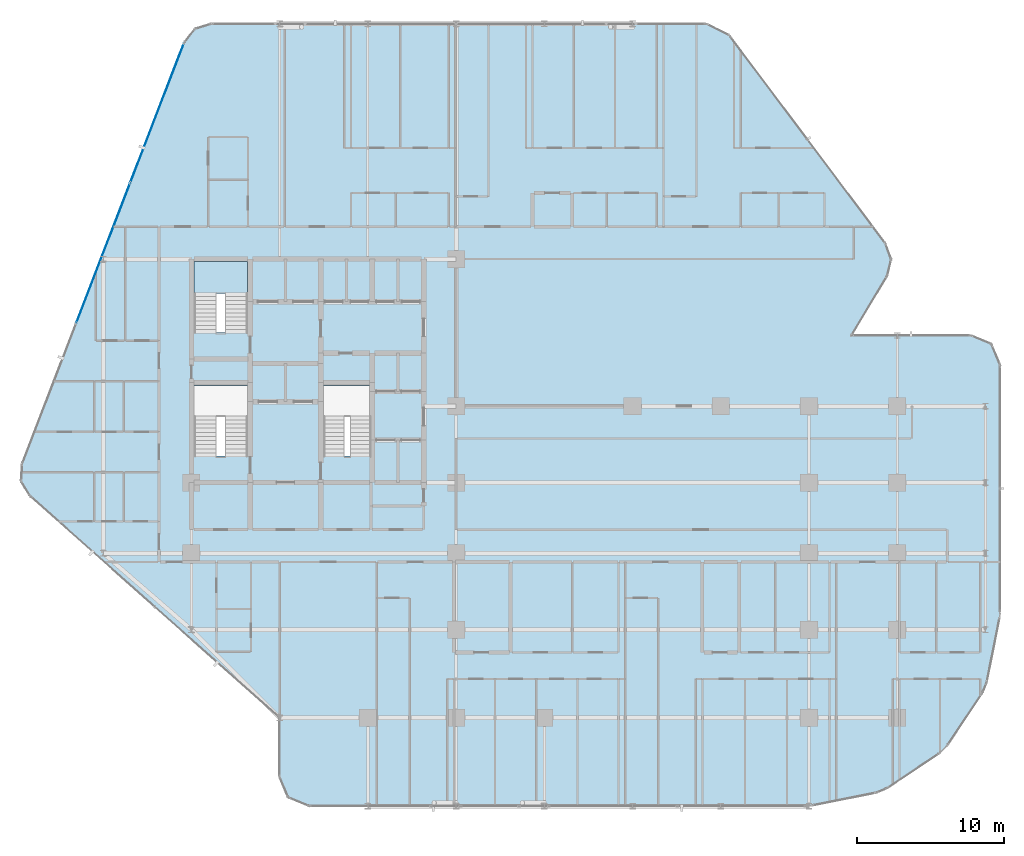
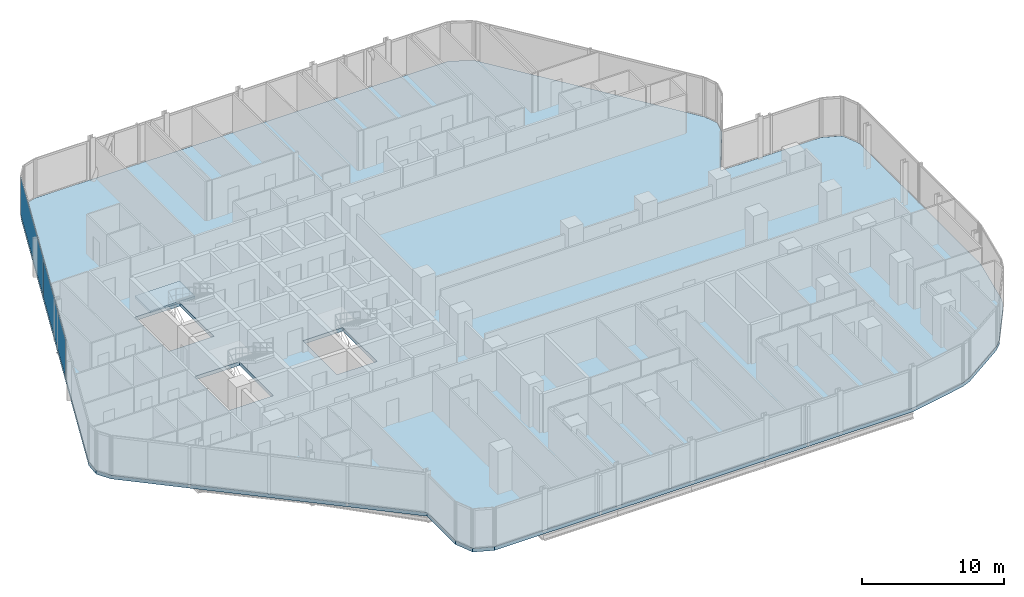
# One storey, part 23 of 34: 2 plates, 2 slabs, 2 elements without a shape of their own.
"""IFC4 building model written with IfcOpenShell, lengths in metres."""

import ifcopenshell
import ifcopenshell.guid

model = None  # the IFC model being written
_history = None  # IfcOwnerHistory: only IFC2X3 demands one
_inside = {}  # id of a spatial element -> (the spatial element, [elements in it])
_under = {}  # id of a project, library or spatial element -> (it, [spatial elements below it])
_declared = {}  # id of a project -> (the project, [libraries it declares])
_typed = {}  # id of a type object -> (the type object, [elements of that type])
_made_of = {}  # id of a material, layer set ... -> (it, [elements and type objects made of it])


def new_model(schema):
    """Start an empty IFC model of exactly this schema.

    Asked for "IFC4X3", IfcOpenShell would pick the latest addendum, in which some entities
    have other attributes; the version numbers below select the first issue.
    IFC2X3 requires an IfcOwnerHistory on every rooted entity: one is made here for all.
    """
    global model, _history
    if schema == "IFC4X3":
        model = ifcopenshell.file(schema_version=(4, 3, 0, 0))
    else:
        model = ifcopenshell.file(schema=schema)
    _inside.clear()
    _under.clear()
    _declared.clear()
    _typed.clear()
    _made_of.clear()
    _history = None
    if model.schema == "IFC2X3":
        org = make("IfcOrganization", Name="unknown")
        user = make(
            "IfcPersonAndOrganization",
            ThePerson=make("IfcPerson", FamilyName="unknown"),
            TheOrganization=org,
        )
        app = make(
            "IfcApplication",
            ApplicationDeveloper=org,
            Version="unknown",
            ApplicationFullName="unknown",
            ApplicationIdentifier="unknown",
        )
        _history = make(
            "IfcOwnerHistory",
            OwningUser=user,
            OwningApplication=app,
            ChangeAction="ADDED",
            CreationDate=0,
        )
    return model


def make(cls, **values):
    """One entity of the class cls with the attributes given. An attribute that is None is left unset."""
    return model.create_entity(
        cls, **{name: value for name, value in values.items() if value is not None}
    )


def rooted(cls, **values):
    """An entity with a GlobalId (a new one), such as an element, a storey or a relation."""
    return make(cls, GlobalId=ifcopenshell.guid.new(), OwnerHistory=_history, **values)


def si_unit(unit_type, name, prefix=None):
    """IfcSIUnit, for example si_unit("LENGTHUNIT", "METRE", prefix="MILLI")."""
    return make("IfcSIUnit", UnitType=unit_type, Prefix=prefix, Name=name)


def assignment(units):
    """IfcUnitAssignment: the units of a project."""
    return None if units is None else make("IfcUnitAssignment", Units=units)


def point(xyz):
    """IfcCartesianPoint."""
    return None if xyz is None else make("IfcCartesianPoint", Coordinates=xyz)


def direction(xyz):
    """IfcDirection."""
    return None if xyz is None else make("IfcDirection", DirectionRatios=xyz)


def frame(location, z_axis=None, x_axis=None):
    """IfcAxis2Placement3D, a coordinate frame: its origin and axes. An axis left out is left unset."""
    return make(
        "IfcAxis2Placement3D",
        Location=point(location),
        Axis=direction(z_axis),
        RefDirection=direction(x_axis),
    )


def frame_2d(location, x_axis=None):
    """IfcAxis2Placement2D, a coordinate frame in the plane: its origin and x axis."""
    return make(
        "IfcAxis2Placement2D", Location=point(location), RefDirection=direction(x_axis)
    )


def origin():
    """The frame at (0, 0, 0) with its axes left unset."""
    return frame((0.0, 0.0, 0.0))


def origin_2d():
    """The frame at (0, 0) in the plane with its x axis left unset."""
    return frame_2d((0.0, 0.0))


def place(relative_to, where):
    """IfcLocalPlacement: puts the frame where relative to a parent placement (None: the world)."""
    return make(
        "IfcLocalPlacement", PlacementRelTo=relative_to, RelativePlacement=where
    )


def context(
    kind, dimensions, precision=None, world=None, true_north=None, identifier=None
):
    """IfcGeometricRepresentationContext, for example the 3D "Model" context."""
    return make(
        "IfcGeometricRepresentationContext",
        ContextIdentifier=identifier,
        ContextType=kind,
        CoordinateSpaceDimension=dimensions,
        Precision=precision,
        WorldCoordinateSystem=world,
        TrueNorth=true_north,
    )


def subcontext(parent, identifier, kind, view, scale=None):
    """IfcGeometricRepresentationSubContext, for example "Body" below "Model"."""
    return make(
        "IfcGeometricRepresentationSubContext",
        ContextIdentifier=identifier,
        ContextType=kind,
        ParentContext=parent,
        TargetScale=scale,
        TargetView=view,
    )


def project(units=None, contexts=None):
    """IfcProject with its units and contexts."""
    return rooted(
        "IfcProject",
        Name="project",
        RepresentationContexts=contexts,
        UnitsInContext=assignment(units),
    )


def spatial(cls, under=None, at=None, **own):
    """A site, building, storey or space (cls), placed at a placement, below another one or the project."""
    s = rooted(cls, ObjectPlacement=at, **own)
    if under is not None:
        _under.setdefault(under.id(), (under, []))[1].append(s)
    return s


def polyline(points):
    """IfcPolyline through the points."""
    return make("IfcPolyline", Points=[point(p) for p in points])


def profile(cls, at=None, kind="AREA", **sizes):
    """A parametric profile (cls). Its sizes go by their IFC names, for example OverallWidth=200.0."""
    return make(cls, ProfileType=kind, Position=at, **sizes)


def rectangle(**sizes):
    """IfcRectangleProfileDef."""
    return profile("IfcRectangleProfileDef", **sizes)


def outline(outer, holes=None, kind="AREA"):
    """IfcArbitraryClosedProfileDef: a profile drawn as a closed curve; with holes, ...WithVoids."""
    if holes is None:
        return make("IfcArbitraryClosedProfileDef", ProfileType=kind, OuterCurve=outer)
    return make(
        "IfcArbitraryProfileDefWithVoids",
        ProfileType=kind,
        OuterCurve=outer,
        InnerCurves=holes,
    )


def extrude(swept, where, along, depth):
    """IfcExtrudedAreaSolid: the profile swept, set in the frame where, extruded along a direction by depth."""
    return make(
        "IfcExtrudedAreaSolid",
        SweptArea=swept,
        Position=where,
        ExtrudedDirection=direction(along),
        Depth=depth,
    )


def shape(context_of_items, identifier, shape_type, items):
    """IfcShapeRepresentation: the items that make up one representation, for example the "Body"."""
    return make(
        "IfcShapeRepresentation",
        ContextOfItems=context_of_items,
        RepresentationIdentifier=identifier,
        RepresentationType=shape_type,
        Items=items,
    )


def material(Name=None, Category=None):
    """IfcMaterial."""
    return make("IfcMaterial", Name=Name, Category=Category)


def layer(
    of_material, thickness, ventilated=None, Name=None, Category=None, Priority=None
):
    """IfcMaterialLayer: one layer of a wall or slab, of a material (None: an air gap)."""
    return make(
        "IfcMaterialLayer",
        Material=of_material,
        LayerThickness=thickness,
        IsVentilated=ventilated,
        Name=Name,
        Category=Category,
        Priority=Priority,
    )


def layer_set(layers, Name=None):
    """IfcMaterialLayerSet."""
    return make("IfcMaterialLayerSet", MaterialLayers=layers, LayerSetName=Name)


def made_of(thing, what):
    """Note that an element or type object is made of a material, layer set ...; save() writes the relation."""
    if what is not None:
        _made_of.setdefault(what.id(), (what, []))[1].append(thing)
    return thing


def type_object(cls, material=None, **own):
    """A type object (cls), such as IfcWallType, which elements share."""
    return made_of(rooted(cls, **own), material)


def element(
    cls,
    number,
    at=None,
    inside=None,
    cuts=None,
    type_object=None,
    material=None,
    context=None,
    identifier="Body",
    shape_type=None,
    held_by="IfcProductDefinitionShape",
    body=None,
    shapes=None,
    **own,
):
    """One element of the class cls, such as IfcWall. Its Tag is "e" and its number.

    at: its placement. inside: the storey or other place that contains it. cuts: it is an
    opening in that element (IfcRelVoidsElement). A single representation is given by context,
    identifier, shape_type and body (its items); several are given by shapes. held_by: the class
    of the entity that holds the representations. save() writes the other relations.
    """
    e = rooted(cls, Tag="e%d" % number, ObjectPlacement=at, **own)
    if body is not None:
        shapes = [shape(context, identifier, shape_type, body)]
    if shapes is not None:
        e.Representation = make(held_by, Representations=shapes)
    if inside is not None:
        _inside.setdefault(inside.id(), (inside, []))[1].append(e)
    if cuts is not None:
        rooted(
            "IfcRelVoidsElement", RelatingBuildingElement=cuts, RelatedOpeningElement=e
        )
    if type_object is not None:
        _typed.setdefault(type_object.id(), (type_object, []))[1].append(e)
    return made_of(e, material)


def aggregate(whole, parts):
    """IfcRelAggregates: a whole, such as a stair, and the parts it consists of."""
    return rooted("IfcRelAggregates", RelatingObject=whole, RelatedObjects=parts)


def save(model, path):
    """Write the relations noted so far, then the file.

    IfcRelAggregates (storeys below a building ...), IfcRelContainedInSpatialStructure (elements
    in a storey), IfcRelDefinesByType, IfcRelAssociatesMaterial and IfcRelDeclares: one each for
    every whole, place, type object, material and project.
    """
    for whole, parts in _under.values():
        aggregate(whole, parts)
    for where, things in _inside.values():
        rooted(
            "IfcRelContainedInSpatialStructure",
            RelatedElements=things,
            RelatingStructure=where,
        )
    for kind, things in _typed.values():
        rooted("IfcRelDefinesByType", RelatedObjects=things, RelatingType=kind)
    for what, things in _made_of.values():
        rooted("IfcRelAssociatesMaterial", RelatedObjects=things, RelatingMaterial=what)
    for by, libraries in _declared.values():
        rooted("IfcRelDeclares", RelatingContext=by, RelatedDefinitions=libraries)
    model.write(path)


model = new_model("IFC4")

# Units and contexts
model_context = context("Model", 3, precision=1e-05, world=origin(), true_north=direction((0.0, 1.0)))
body_context = subcontext(model_context, "Body", "Model", "MODEL_VIEW")
ifc_project = project(units=[si_unit("LENGTHUNIT", "METRE"), si_unit("AREAUNIT", "SQUARE_METRE"), si_unit("VOLUMEUNIT", "CUBIC_METRE"), si_unit("PLANEANGLEUNIT", "RADIAN"), si_unit("MASSUNIT", "GRAM", prefix="KILO")], contexts=[model_context])

# Site, building, storey
site_placement = place(None, origin())
site = spatial("IfcSite", under=ifc_project, at=site_placement, CompositionType="ELEMENT")
building_placement = place(site_placement, origin())
building = spatial("IfcBuilding", under=site, at=building_placement, Name="Keshet Zoharim Tower", CompositionType="ELEMENT")
storey_placement = place(building_placement, frame((0.0, 0.0, 53.60009765625)))
storey = spatial("IfcBuildingStorey", under=building, at=storey_placement, Name="L12", CompositionType="ELEMENT", Elevation=53.60009765625)

# Curtain wall, plates
ifc_material_1 = material(Name="Aluminium 6063-T6", Category="aluminium")
ifc_layer_1 = layer(ifc_material_1, 0.179931640625)
ifc_layer_set_1 = layer_set([ifc_layer_1], Name="Aluminium 6063-T6")
curtain_wall_type = type_object("IfcCurtainWallType", Name="CW-SYS-01", PredefinedType="NOTDEFINED", material=ifc_layer_set_1)
curtain_wall_placement = place(storey_placement, origin())
curtain_wall = element("IfcCurtainWall", 1, at=curtain_wall_placement, inside=storey, type_object=curtain_wall_type, Name="L12 Unitised Curtain Wall 04", PredefinedType="NOTDEFINED")
ifc_material_2 = material(Name="Insulated Low-E Clear Glass", Category="glass")
ifc_layer_2 = layer(ifc_material_2, 0.035888671875)
ifc_layer_set_2 = layer_set([ifc_layer_2], Name="Insulated Low-E Clear Glass")
plate_type = type_object("IfcPlateType", Name="CWP-01", PredefinedType="CURTAIN_PANEL", material=ifc_layer_set_2)
plate_1_placement = place(storey_placement, frame((9.001953125, 38.305419921875, 0.06982421875), z_axis=(0.0, 0.0, 1.0), x_axis=(0.358990003907, 0.933341404361, 0.0)))
plate_1 = element("IfcPlate", 2, at=plate_1_placement, type_object=plate_type, Name="CW-01 panel 2.1", PredefinedType="CURTAIN_PANEL", context=body_context, shape_type="SweptSolid", body=[
    extrude(rectangle(XDim=10.153076171875, YDim=0.035888671875, at=origin_2d()), origin(), (0.0, 0.0, 1.0), 3.2451171875),
])
plate_2_placement = place(storey_placement, frame((12.665771484375, 47.830810546875, 0.06982421875), z_axis=(0.0, 0.0, 1.0), x_axis=(0.358990003907, 0.933341404361, 0.0)))
plate_2 = element("IfcPlate", 3, at=plate_2_placement, type_object=plate_type, Name="CW-01 panel 3.1", PredefinedType="CURTAIN_PANEL", context=body_context, shape_type="SweptSolid", body=[
    extrude(rectangle(XDim=10.1181640625, YDim=0.035888671875, at=origin_2d()), origin(), (0.0, 0.0, 1.0), 3.2451171875),
])
aggregate(curtain_wall, [plate_1, plate_2])

# Stair, slab
ifc_material_3 = material(Name="Concrete C50/60", Category="concrete")
stair_type = type_object("IfcStairType", Name="STR-EXIT-135", PredefinedType="HALF_TURN_STAIR", material=ifc_material_3)
stair_placement = place(storey_placement, origin())
stair = element("IfcStair", 4, at=stair_placement, inside=storey, type_object=stair_type, Name="L12 Enclosed Exit Stair ST-02", PredefinedType="HALF_TURN_STAIR")
ifc_layer_3 = layer(ifc_material_3, 0.199951171875)
ifc_layer_set_3 = layer_set([ifc_layer_3], Name="Concrete C50/60")
slab_type_1 = type_object("IfcSlabType", Name="SLB-LND-200", PredefinedType="LANDING", material=ifc_layer_set_3)
slab_1_placement = place(storey_placement, frame((0.0, 0.0, 1.64990234375)))
slab_1 = element("IfcSlab", 5, at=slab_1_placement, type_object=slab_type_1, Name="ST-02 landing 1", PredefinedType="LANDING", context=body_context, shape_type="SweptSolid", body=[
    extrude(outline(polyline([(15.179931640625, 35.56005859375), (18.820068359375, 35.56005859375), (18.820068359375, 37.719970703125), (15.179931640625, 37.719970703125), (15.179931640625, 35.56005859375)])), origin(), (0.0, 0.0, 1.0), 0.199951171875),
])
aggregate(stair, [slab_1])

# Slab
ifc_layer_4 = layer(ifc_material_3, 0.31494140625)
ifc_layer_set_4 = layer_set([ifc_layer_4], Name="Concrete C50/60")
slab_type_2 = type_object("IfcSlabType", Name="SLB-LOW-260", PredefinedType="FLOOR", material=ifc_layer_set_4)
slab_2_placement = place(storey_placement, frame((0.0, 0.0, -0.315185546875)))
element("IfcSlab", 6, at=slab_2_placement, inside=storey, type_object=slab_type_2, Name="L12 Structural Floor Slab 1", PredefinedType="FLOOR", context=body_context, shape_type="SweptSolid", body=[
    extrude(outline(polyline([(21.0, 6.699951171875), (4.034912109375, 21.780029296875), (3.419921875, 22.802001953125), (3.4970703125, 23.992919921875), (14.507080078125, 52.617919921875), (15.240966796875, 53.549072265625), (16.3740234375, 53.89990234375), (50.0, 53.89990234375), (51.60009765625, 53.10009765625), (62.193115234375, 38.97607421875), (62.590087890625, 37.87890625), (62.30810546875, 36.7470703125), (59.8798828125, 32.699951171875), (68.0, 32.699951171875), (69.4140625, 32.114013671875), (70.0, 30.699951171875), (70.0, 13.89697265625), (69.9619140625, 13.507080078125), (69.087890625, 9.114990234375), (68.7890625, 8.39404296875), (66.4130859375, 4.837890625), (65.862060546875, 4.287109375), (62.305908203125, 1.910888671875), (61.5849609375, 1.612060546875), (57.193115234375, 0.738037109375), (56.802978515625, 0.699951171875), (23.0, 0.699951171875), (21.5859375, 1.285888671875), (21.0, 2.699951171875), (21.0, 6.699951171875)]), holes=[polyline([(15.179931640625, 24.52001953125), (18.820068359375, 24.52001953125), (18.820068359375, 29.320068359375), (15.179931640625, 29.320068359375), (15.179931640625, 24.52001953125)]), polyline([(15.179931640625, 32.919921875), (18.820068359375, 32.919921875), (18.820068359375, 37.719970703125), (15.179931640625, 37.719970703125), (15.179931640625, 32.919921875)]), polyline([(23.97998046875, 24.52001953125), (27.219970703125, 24.52001953125), (27.219970703125, 29.320068359375), (23.97998046875, 29.320068359375), (23.97998046875, 24.52001953125)])]), origin(), (0.0, 0.0, 1.0), 0.315185546875),
])

save(model, "model.ifc")
